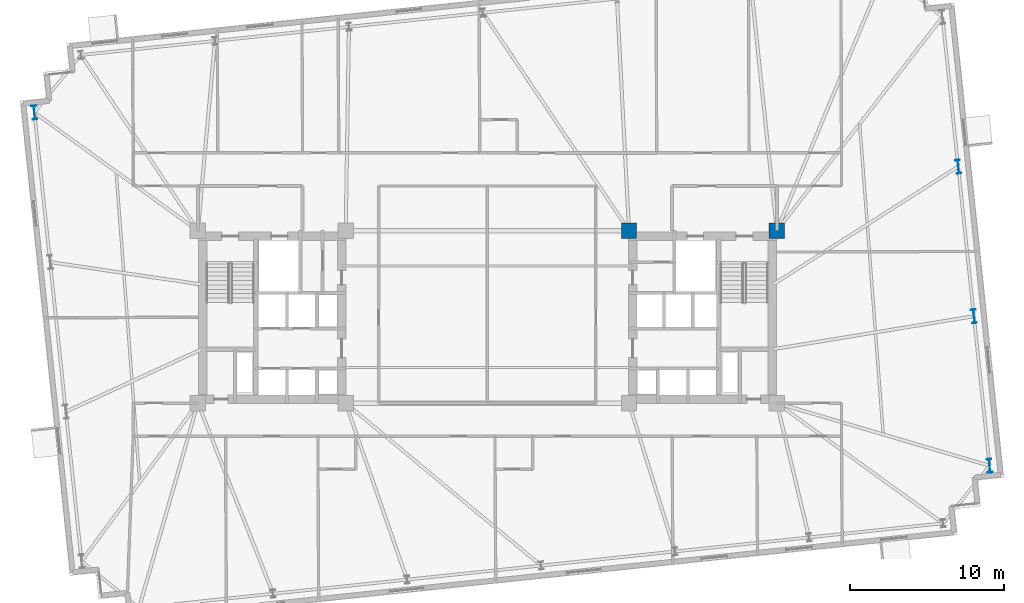
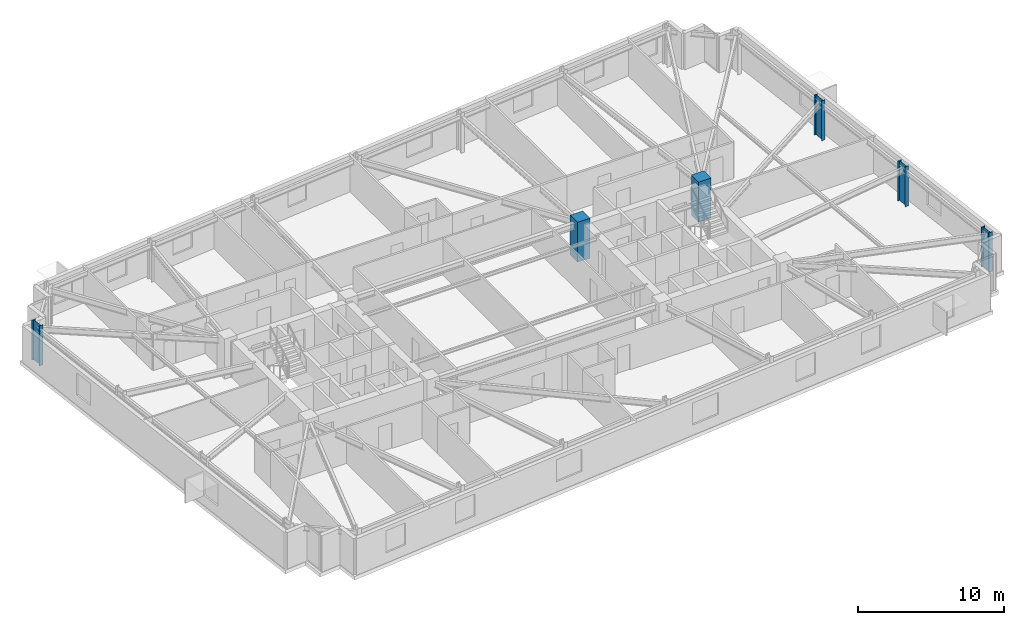
# One storey, part 2 of 17: 6 columns.
"""IFC4 building model written with IfcOpenShell, lengths in metres."""

from ifc_helpers import new_model, si_unit, direction, frame, origin, origin_2d, place, context, subcontext, project, spatial, rectangle, i_section, extrude, material, material_profile, profile_set, type_object, element, save


model = new_model("IFC4")

# Units and contexts
model_context = context("Model", 3, precision=1e-05, world=origin(), true_north=direction((0.0, 1.0)))
body_context = subcontext(model_context, "Body", "Model", "MODEL_VIEW")
ifc_project = project(units=[si_unit("LENGTHUNIT", "METRE"), si_unit("AREAUNIT", "SQUARE_METRE"), si_unit("VOLUMEUNIT", "CUBIC_METRE"), si_unit("PLANEANGLEUNIT", "RADIAN"), si_unit("MASSUNIT", "GRAM", prefix="KILO")], contexts=[model_context])

# Site, building, storey
site_placement = place(None, origin())
site = spatial("IfcSite", under=ifc_project, at=site_placement, CompositionType="ELEMENT")
building_placement = place(site_placement, origin())
building = spatial("IfcBuilding", under=site, at=building_placement, Name="Qobustan Lattice House", CompositionType="ELEMENT")
storey_placement = place(building_placement, frame((0.0, 0.0, 112.5)))
storey = spatial("IfcBuildingStorey", under=building, at=storey_placement, Name="L31", CompositionType="ELEMENT", Elevation=112.5)

# Columns
ifc_material_1 = material(Name="Concrete C60/75", Category="concrete")
ifc_material_profile_1 = material_profile(ifc_material_1, rectangle(XDim=1.0, YDim=1.0, at=origin_2d()), Name="RC1000x1000")
ifc_profile_set_1 = profile_set([ifc_material_profile_1], Name="Concrete C60/75")
column_type_1 = type_object("IfcColumnType", Name="COL-RC-1000", PredefinedType="COLUMN", material=ifc_profile_set_1)
for number, where, z_axis, x_axis, name in (
    (1, (9.199951171875, 5.60009765625, 0.0), (0.0, 0.0, 1.0), (1.0, 0.0, 0.0), "L31 core mega-column CE-NW"),
    (2, (18.800048828125, 5.60009765625, 0.0), (0.0, 0.0, 1.0), (1.0, 0.0, 0.0), "L31 core mega-column CE-NE"),
):
    element("IfcColumn", number, at=place(storey_placement, frame(where, z_axis=z_axis, x_axis=x_axis)), inside=storey, type_object=column_type_1, Name=name, PredefinedType="COLUMN", context=body_context, shape_type="SweptSolid", body=[
        extrude(rectangle(XDim=1.0, YDim=1.0, at=origin_2d()), origin(), (0.0, 0.0, 1.0), 3.35009765625),
    ])
ifc_material_2 = material(Name="Steel S355", Category="steel")
ifc_material_profile_2 = material_profile(ifc_material_2, i_section(OverallWidth=0.300048828125, OverallDepth=0.89990234375, WebThickness=0.0185546875, FlangeThickness=0.034912109375, FilletRadius=0.030029296875, at=origin_2d()), Name="HEB900")
ifc_profile_set_2 = profile_set([ifc_material_profile_2], Name="Steel S355")
column_type_2 = type_object("IfcColumnType", Name="COL-ST-HEB900", PredefinedType="COLUMN", material=ifc_profile_set_2)
for number, where, z_axis, x_axis, name in (
    (3, (32.618896484375, -9.67041015625, 0.0), (0.0, 0.0, 1.0), (0.994521895368, 0.104528463268, 0.0), "L31 B2 perimeter column E1"),
    (4, (31.597900390625, 0.042724609375, 0.0), (0.0, 0.0, 1.0), (0.994521895368, 0.104528463268, 0.0), "L31 B2 perimeter column E2"),
    (5, (30.5771484375, 9.755859375, 0.0), (0.0, 0.0, 1.0), (0.994521895368, 0.104528463268, 0.0), "L31 B2 perimeter column E3"),
    (6, (-29.4189453125, 13.2705078125, 0.0), (0.0, 0.0, 1.0), (0.994521895368, 0.104528463268, 0.0), "L31 B2 perimeter column W1"),
):
    element("IfcColumn", number, at=place(storey_placement, frame(where, z_axis=z_axis, x_axis=x_axis)), inside=storey, type_object=column_type_2, Name=name, PredefinedType="COLUMN", context=body_context, shape_type="SweptSolid", body=[
        extrude(i_section(OverallWidth=0.300048828125, OverallDepth=0.89990234375, WebThickness=0.0185546875, FlangeThickness=0.034912109375, FilletRadius=0.030029296875, at=origin_2d()), origin(), (0.0, 0.0, 1.0), 3.35009765625),
    ])

save(model, "model.ifc")
